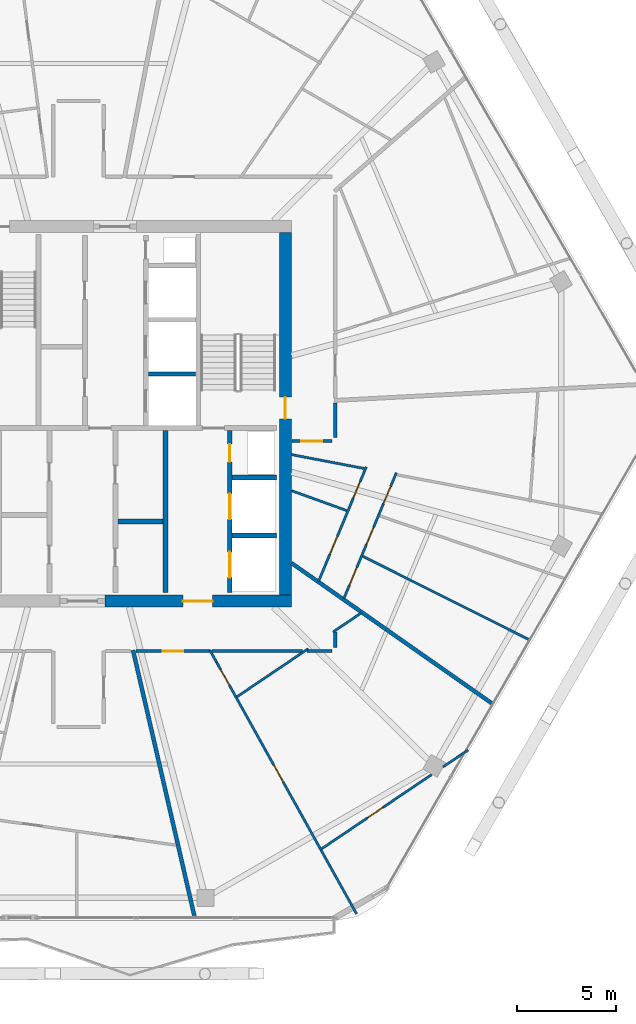
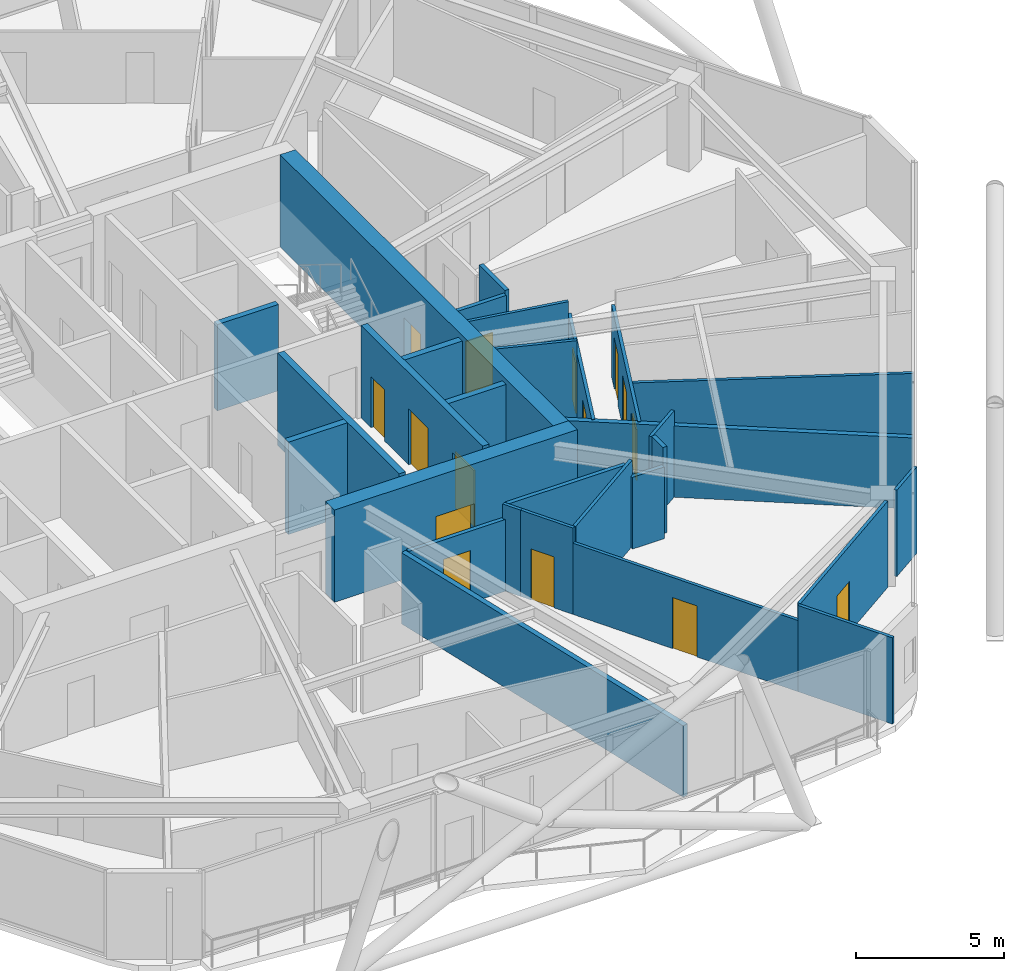
# One storey, part 22 of 27: 29 walls, 15 doors, 15 openings.
"""IFC4 building model written with IfcOpenShell, lengths in metres."""

from ifc_helpers import new_model, si_unit, direction, frame, frame_2d, origin, place, context, subcontext, project, spatial, rectangle, extrude, material, layer, layer_set, type_object, element, fill, save


model = new_model("IFC4")

# Units and contexts
model_context = context("Model", 3, precision=1e-05, world=origin(), true_north=direction((0.0, 1.0)))
body_context = subcontext(model_context, "Body", "Model", "MODEL_VIEW")
ifc_project = project(units=[si_unit("LENGTHUNIT", "METRE"), si_unit("AREAUNIT", "SQUARE_METRE"), si_unit("VOLUMEUNIT", "CUBIC_METRE"), si_unit("PLANEANGLEUNIT", "RADIAN"), si_unit("MASSUNIT", "GRAM", prefix="KILO")], contexts=[model_context])

# Site, building, storey
site_placement = place(None, origin())
site = spatial("IfcSite", under=ifc_project, at=site_placement, CompositionType="ELEMENT")
building_placement = place(site_placement, origin())
building = spatial("IfcBuilding", under=site, at=building_placement, Name="Zuhravey Tower", CompositionType="ELEMENT")
storey_placement = place(building_placement, frame((0.0, 0.0, 276.800048828125)))
storey = spatial("IfcBuildingStorey", under=building, at=storey_placement, Name="L70", CompositionType="ELEMENT", Elevation=276.800048828125)

# Wall, opening, door
ifc_material_1 = material(Name="Concrete C50/60", Category="concrete")
ifc_layer_1 = layer(ifc_material_1, 0.60009765625)
ifc_layer_set_1 = layer_set([ifc_layer_1], Name="Concrete C50/60")
wall_type_1 = type_object("IfcWallType", Name="Core Shear Wall 600", PredefinedType="SHEAR", material=ifc_layer_set_1)
wall_1_placement = place(storey_placement, frame((37.35009765625, 22.5, 0.0), z_axis=(0.0, 0.0, 1.0), x_axis=(1.0, 0.0, 0.0)))
wall_1 = element("IfcWall", 1, at=wall_1_placement, inside=storey, type_object=wall_type_1, Name="L70 South-East Core Shear Wall CW60", PredefinedType="SHEAR", context=body_context, shape_type="SweptSolid", body=[
    extrude(rectangle(XDim=9.449951171875, YDim=0.60009765625, at=frame_2d((4.72509765625, 0.0))), origin(), (0.0, 0.0, 1.0), 3.800048828125),
])
opening_1_placement = place(wall_1_placement, frame((3.949951171875, 0.0, 0.0)))
opening_1 = element("IfcOpeningElement", 2, at=opening_1_placement, cuts=wall_1, Name="Opening FFD1", PredefinedType="OPENING", context=body_context, shape_type="SweptSolid", body=[
    extrude(rectangle(XDim=1.5, YDim=2.14990234375, at=frame_2d((0.75, 1.074951171875))), frame((0.0, 0.31201171875, 0.0), z_axis=(0.0, -1.0, 0.0), x_axis=(1.0, 0.0, 0.0)), (0.0, 0.0, 1.0), 0.6240234375),
])
ifc_material_2 = material(Name="Galvanised fire-rated steel leaf", Category="steel")
door_type_1 = type_object("IfcDoorType", Name="Firefighting Lobby Double Door 1500x2150", OperationType="DOUBLE_DOOR_SINGLE_SWING", PredefinedType="DOOR", material=ifc_material_2)
door_1_placement = place(opening_1_placement, origin())
door_1 = element("IfcDoor", 3, at=door_1_placement, inside=storey, type_object=door_type_1, Name="L70 Firefighting Lobby East Door", OperationType="DOUBLE_DOOR_SINGLE_SWING", OverallHeight=2.14990234375, OverallWidth=1.5, PredefinedType="DOOR", context=body_context, shape_type="SweptSolid", body=[
    extrude(rectangle(XDim=1.5, YDim=2.14990234375, at=frame_2d((0.75, 1.074951171875))), frame((0.0, 0.02490234375, 0.0), z_axis=(0.0, -1.0, 0.0), x_axis=(1.0, 0.0, 0.0)), (0.0, 0.0, 1.0), 0.050048828125),
])
fill(opening_1, door_1)

wall_2_placement = place(storey_placement, frame((46.5, 22.800048828125, 0.0), z_axis=(0.0, 0.0, 1.0), x_axis=(0.0, 1.0, 0.0)))
wall_2 = element("IfcWall", 4, at=wall_2_placement, inside=storey, type_object=wall_type_1, Name="L70 East Core Shear Wall CW60", PredefinedType="SHEAR", context=body_context, shape_type="SweptSolid", body=[
    extrude(rectangle(XDim=18.39990234375, YDim=0.60009765625, at=frame_2d((9.199951171875, 0.0))), origin(), (0.0, 0.0, 1.0), 3.800048828125),
])
opening_2_placement = place(wall_2_placement, frame((8.949951171875, 0.0, 0.0)))
opening_2 = element("IfcOpeningElement", 5, at=opening_2_placement, cuts=wall_2, Name="Opening STD1", PredefinedType="OPENING", context=body_context, shape_type="SweptSolid", body=[
    extrude(rectangle(XDim=1.10009765625, YDim=2.14990234375, at=frame_2d((0.550048828125, 1.074951171875))), frame((0.0, 0.31201171875, 0.0), z_axis=(0.0, -1.0, 0.0), x_axis=(1.0, 0.0, 0.0)), (0.0, 0.0, 1.0), 0.6240234375),
])
door_type_2 = type_object("IfcDoorType", Name="Protected Stair Fire Door 1100x2150", OperationType="NOTDEFINED", PredefinedType="USERDEFINED", material=ifc_material_2)
door_2_placement = place(opening_2_placement, origin())
door_2 = element("IfcDoor", 6, at=door_2_placement, inside=storey, type_object=door_type_2, Name="L70 Stair ST2 Door", ObjectType="EXITDOOR", OperationType="SINGLE_SWING_LEFT", OverallHeight=2.14990234375, OverallWidth=1.10009765625, PredefinedType="USERDEFINED", context=body_context, shape_type="SweptSolid", body=[
    extrude(rectangle(XDim=1.10009765625, YDim=2.14990234375, at=frame_2d((0.550048828125, 1.074951171875))), frame((0.0, 0.02490234375, 0.0), z_axis=(0.0, -1.0, 0.0), x_axis=(1.0, 0.0, 0.0)), (0.0, 0.0, 1.0), 0.050048828125),
])
fill(opening_2, door_2)

ifc_material_3 = material(Name="Gypsum fire-rated stud partition")
ifc_layer_2 = layer(ifc_material_3, 0.159912109375)
ifc_layer_set_2 = layer_set([ifc_layer_2], Name="Gypsum fire-rated stud partition")
wall_type_2 = type_object("IfcWallType", Name="Corridor Fire Partition 160", PredefinedType="PARTITIONING", material=ifc_layer_set_2)
wall_3_placement = place(storey_placement, frame((38.90869140625, 19.969970703125, 0.0), z_axis=(0.0, 0.0, 1.0), x_axis=(1.0, 0.0, 0.0)))
wall_3 = element("IfcWall", 7, at=wall_3_placement, inside=storey, type_object=wall_type_2, Name="L70 IW16 Partition 042", PredefinedType="PARTITIONING", context=body_context, shape_type="SweptSolid", body=[
    extrude(rectangle(XDim=3.7587890625, YDim=0.159912109375, at=frame_2d((1.87939453125, 0.0))), origin(), (0.0, 0.0, 1.0), 2.949951171875),
])
opening_3_placement = place(wall_3_placement, frame((1.354248046875, 0.0, 0.0)))
opening_3 = element("IfcOpeningElement", 8, at=opening_3_placement, cuts=wall_3, Name="Opening APD1", PredefinedType="OPENING", context=body_context, shape_type="SweptSolid", body=[
    extrude(rectangle(XDim=1.050048828125, YDim=2.14990234375, at=frame_2d((0.52490234375, 1.074951171875))), frame((0.0, 0.092041015625, 0.0), z_axis=(0.0, -1.0, 0.0), x_axis=(1.0, 0.0, 0.0)), (0.0, 0.0, 1.0), 0.183837890625),
])
ifc_material_4 = material(Name="Solid-core oak fire-rated leaf")
door_type_3 = type_object("IfcDoorType", Name="Apartment Entrance Fire Door 1050x2150", OperationType="NOTDEFINED", PredefinedType="DOOR", material=ifc_material_4)
door_3_placement = place(opening_3_placement, frame((1.050048828125, 0.0, 0.0), z_axis=(0.0, 0.0, 1.0), x_axis=(-1.0, 0.0, 0.0)))
door_3 = element("IfcDoor", 9, at=door_3_placement, inside=storey, type_object=door_type_3, Name="L70 Door 042.1", OperationType="SINGLE_SWING_LEFT", OverallHeight=2.14990234375, OverallWidth=1.050048828125, PredefinedType="DOOR", context=body_context, shape_type="SweptSolid", body=[
    extrude(rectangle(XDim=1.050048828125, YDim=2.14990234375, at=frame_2d((0.52490234375, 1.074951171875))), frame((0.0, 0.02490234375, 0.0), z_axis=(0.0, -1.0, 0.0), x_axis=(1.0, 0.0, 0.0)), (0.0, 0.0, 1.0), 0.050048828125),
])
fill(opening_3, door_3)

wall_4_placement = place(storey_placement, frame((46.820068359375, 30.6201171875, 0.0), z_axis=(0.0, 0.0, 1.0), x_axis=(1.0, 0.0, 0.0)))
wall_4 = element("IfcWall", 10, at=wall_4_placement, inside=storey, type_object=wall_type_2, Name="L70 IW16 Partition 046", PredefinedType="PARTITIONING", context=body_context, shape_type="SweptSolid", body=[
    extrude(rectangle(XDim=2.029296875, YDim=0.159912109375, at=frame_2d((1.0146484375, 0.0))), origin(), (0.0, 0.0, 1.0), 3.550048828125),
])
opening_4_placement = place(wall_4_placement, frame((0.489501953125, 0.0, 0.0)))
opening_4 = element("IfcOpeningElement", 11, at=opening_4_placement, cuts=wall_4, Name="Opening APD1", PredefinedType="OPENING", context=body_context, shape_type="SweptSolid", body=[
    extrude(rectangle(XDim=1.050048828125, YDim=2.14990234375, at=frame_2d((0.52490234375, 1.074951171875))), frame((0.0, 0.092041015625, 0.0), z_axis=(0.0, -1.0, 0.0), x_axis=(1.0, 0.0, 0.0)), (0.0, 0.0, 1.0), 0.183837890625),
])
door_4_placement = place(opening_4_placement, frame((1.050048828125, 0.0, 0.0), z_axis=(0.0, 0.0, 1.0), x_axis=(-1.0, 0.0, 0.0)))
door_4 = element("IfcDoor", 12, at=door_4_placement, inside=storey, type_object=door_type_3, Name="L70 Door 046.1", OperationType="SINGLE_SWING_RIGHT", OverallHeight=2.14990234375, OverallWidth=1.050048828125, PredefinedType="DOOR", context=body_context, shape_type="SweptSolid", body=[
    extrude(rectangle(XDim=1.050048828125, YDim=2.14990234375, at=frame_2d((0.52490234375, 1.074951171875))), frame((0.0, 0.02490234375, 0.0), z_axis=(0.0, -1.0, 0.0), x_axis=(1.0, 0.0, 0.0)), (0.0, 0.0, 1.0), 0.050048828125),
])
fill(opening_4, door_4)

# Walls
wall_5_placement = place(storey_placement, frame((42.768310546875, 19.969970703125, 0.0), z_axis=(0.0, 0.0, 1.0), x_axis=(1.0, 0.0, 0.0)))
element("IfcWall", 13, at=wall_5_placement, inside=storey, type_object=wall_type_2, Name="L70 IW16 Partition 126", PredefinedType="PARTITIONING", context=body_context, shape_type="SweptSolid", body=[
    extrude(rectangle(XDim=4.591552734375, YDim=0.159912109375, at=frame_2d((2.2958984375, 0.0))), origin(), (0.0, 0.0, 1.0), 3.550048828125),
])
wall_6_placement = place(storey_placement, frame((47.60302734375, 19.969970703125, 0.0), z_axis=(0.0, 0.0, 1.0), x_axis=(1.0, 0.0, 0.0)))
element("IfcWall", 14, at=wall_6_placement, inside=storey, type_object=wall_type_2, Name="L70 IW16 Partition 127", PredefinedType="PARTITIONING", context=body_context, shape_type="SweptSolid", body=[
    extrude(rectangle(XDim=1.2470703125, YDim=0.159912109375, at=frame_2d((0.62353515625, 0.0))), origin(), (0.0, 0.0, 1.0), 2.949951171875),
])
wall_7_placement = place(storey_placement, frame((49.030029296875, 20.14990234375, 0.0), z_axis=(0.0, 0.0, 1.0), x_axis=(0.0, 1.0, 0.0)))
element("IfcWall", 15, at=wall_7_placement, inside=storey, type_object=wall_type_2, Name="L70 IW16 Partition 128", PredefinedType="PARTITIONING", context=body_context, shape_type="SweptSolid", body=[
    extrude(rectangle(XDim=0.78271484375, YDim=0.159912109375, at=frame_2d((0.391357421875, 0.0))), origin(), (0.0, 0.0, 1.0), 3.550048828125),
])
wall_8_placement = place(storey_placement, frame((49.030029296875, 30.80078125, 0.0), z_axis=(0.0, 0.0, 1.0), x_axis=(0.0, 1.0, 0.0)))
element("IfcWall", 16, at=wall_8_placement, inside=storey, type_object=wall_type_2, Name="L70 IW16 Partition 129", PredefinedType="PARTITIONING", context=body_context, shape_type="SweptSolid", body=[
    extrude(rectangle(XDim=1.748046875, YDim=0.159912109375, at=frame_2d((0.8740234375, 0.0))), origin(), (0.0, 0.0, 1.0), 3.550048828125),
])
ifc_layer_3 = layer(ifc_material_1, 0.25)
ifc_layer_set_3 = layer_set([ifc_layer_3], Name="Concrete C50/60")
wall_type_3 = type_object("IfcWallType", Name="Firefighting Shaft & Stair Wall 250", PredefinedType="SOLIDWALL", material=ifc_layer_set_3)
wall_9_placement = place(storey_placement, frame((38.0, 26.550048828125, 0.0), z_axis=(0.0, 0.0, 1.0), x_axis=(1.0, 0.0, 0.0)))
element("IfcWall", 17, at=wall_9_placement, inside=storey, type_object=wall_type_3, Name="L70 FW25 Shaft Wall 015", PredefinedType="SOLIDWALL", context=body_context, shape_type="SweptSolid", body=[
    extrude(rectangle(XDim=2.300048828125, YDim=0.25, at=frame_2d((1.14990234375, 0.0))), origin(), (0.0, 0.0, 1.0), 3.800048828125),
])
wall_10_placement = place(storey_placement, frame((40.425048828125, 22.949951171875, 0.0), z_axis=(0.0, 0.0, 1.0), x_axis=(0.0, 1.0, 0.0)))
element("IfcWall", 18, at=wall_10_placement, inside=storey, type_object=wall_type_3, Name="L70 FW25 Shaft Wall 017", PredefinedType="SOLIDWALL", context=body_context, shape_type="SweptSolid", body=[
    extrude(rectangle(XDim=8.199951171875, YDim=0.25, at=frame_2d((4.10009765625, 0.0))), origin(), (0.0, 0.0, 1.0), 3.800048828125),
])
for number, where, z_axis, x_axis, name in (
    (19, (43.800048828125, 25.824951171875, 0.0), (0.0, 0.0, 1.0), (1.0, 0.0, 0.0), "L70 FW25 Shaft Wall 018"),
    (20, (43.800048828125, 28.77490234375, 0.0), (0.0, 0.0, 1.0), (1.0, 0.0, 0.0), "L70 FW25 Shaft Wall 019"),
):
    element("IfcWall", number, at=place(storey_placement, frame(where, z_axis=z_axis, x_axis=x_axis)), inside=storey, type_object=wall_type_3, Name=name, PredefinedType="SOLIDWALL", context=body_context, shape_type="SweptSolid", body=[
        extrude(rectangle(XDim=2.25, YDim=0.25, at=frame_2d((1.125, 0.0))), origin(), (0.0, 0.0, 1.0), 3.800048828125),
    ])

# Wall, openings, doors
wall_11_placement = place(storey_placement, frame((43.675048828125, 22.949951171875, 0.0), z_axis=(0.0, 0.0, 1.0), x_axis=(0.0, 1.0, 0.0)))
wall_11 = element("IfcWall", 21, at=wall_11_placement, inside=storey, type_object=wall_type_3, Name="L70 FW25 Shaft Wall 020", PredefinedType="SOLIDWALL", context=body_context, shape_type="SweptSolid", body=[
    extrude(rectangle(XDim=8.199951171875, YDim=0.25, at=frame_2d((4.10009765625, 0.0))), origin(), (0.0, 0.0, 1.0), 3.800048828125),
])
opening_5_placement = place(wall_11_placement, frame((0.75, 0.0, 0.0)))
opening_5 = element("IfcOpeningElement", 22, at=opening_5_placement, cuts=wall_11, Name="Opening LD2", PredefinedType="OPENING", context=body_context, shape_type="SweptSolid", body=[
    extrude(rectangle(XDim=1.300048828125, YDim=2.300048828125, at=frame_2d((0.64990234375, 1.14990234375))), frame((0.0, 0.136962890625, 0.0), z_axis=(0.0, -1.0, 0.0), x_axis=(1.0, 0.0, 0.0)), (0.0, 0.0, 1.0), 0.27392578125),
])
opening_6_placement = place(wall_11_placement, frame((3.699951171875, 0.0, 0.0)))
opening_6 = element("IfcOpeningElement", 23, at=opening_6_placement, cuts=wall_11, Name="Opening LD2", PredefinedType="OPENING", context=body_context, shape_type="SweptSolid", body=[
    extrude(rectangle(XDim=1.300048828125, YDim=2.300048828125, at=frame_2d((0.64990234375, 1.14990234375))), frame((0.0, 0.136962890625, 0.0), z_axis=(0.0, -1.0, 0.0), x_axis=(1.0, 0.0, 0.0)), (0.0, 0.0, 1.0), 0.27392578125),
])
opening_7_placement = place(wall_11_placement, frame((6.6201171875, 0.0, 0.0)))
opening_7 = element("IfcOpeningElement", 24, at=opening_7_placement, cuts=wall_11, Name="Opening RSD1", PredefinedType="OPENING", context=body_context, shape_type="SweptSolid", body=[
    extrude(rectangle(XDim=0.89990234375, YDim=2.10009765625, at=frame_2d((0.449951171875, 1.050048828125))), frame((0.0, 0.136962890625, 0.0), z_axis=(0.0, -1.0, 0.0), x_axis=(1.0, 0.0, 0.0)), (0.0, 0.0, 1.0), 0.27392578125),
])
ifc_material_5 = material(Name="Brushed stainless steel", Category="steel")
door_type_4 = type_object("IfcDoorType", Name="Freight & Stretcher Lift Sliding Door 1300x2300", OperationType="DOUBLE_DOOR_SLIDING", PredefinedType="DOOR", material=ifc_material_5)
door_5_placement = place(opening_5_placement, origin())
door_5 = element("IfcDoor", 25, at=door_5_placement, inside=storey, type_object=door_type_4, Name="L70 Lift FF2 Landing Door", OperationType="DOUBLE_DOOR_SLIDING", OverallHeight=2.300048828125, OverallWidth=1.300048828125, PredefinedType="DOOR", context=body_context, shape_type="SweptSolid", body=[
    extrude(rectangle(XDim=1.300048828125, YDim=2.300048828125, at=frame_2d((0.64990234375, 1.14990234375))), frame((0.0, 0.02490234375, 0.0), z_axis=(0.0, -1.0, 0.0), x_axis=(1.0, 0.0, 0.0)), (0.0, 0.0, 1.0), 0.050048828125),
])
fill(opening_5, door_5)
door_6_placement = place(opening_6_placement, origin())
door_6 = element("IfcDoor", 26, at=door_6_placement, inside=storey, type_object=door_type_4, Name="L70 Lift SV1 Landing Door", OperationType="DOUBLE_DOOR_SLIDING", OverallHeight=2.300048828125, OverallWidth=1.300048828125, PredefinedType="DOOR", context=body_context, shape_type="SweptSolid", body=[
    extrude(rectangle(XDim=1.300048828125, YDim=2.300048828125, at=frame_2d((0.64990234375, 1.14990234375))), frame((0.0, 0.02490234375, 0.0), z_axis=(0.0, -1.0, 0.0), x_axis=(1.0, 0.0, 0.0)), (0.0, 0.0, 1.0), 0.050048828125),
])
fill(opening_6, door_6)
ifc_material_6 = material(Name="Galvanised fire-rated steel access leaf", Category="steel")
door_type_5 = type_object("IfcDoorType", Name="Riser & Shaft Access Fire Door 900x2100", OperationType="NOTDEFINED", PredefinedType="DOOR", material=ifc_material_6)
door_7_placement = place(opening_7_placement, origin())
door_7 = element("IfcDoor", 27, at=door_7_placement, inside=storey, type_object=door_type_5, Name="L70 Plumbing Riser Door", OperationType="SINGLE_SWING_LEFT", OverallHeight=2.10009765625, OverallWidth=0.89990234375, PredefinedType="DOOR", context=body_context, shape_type="SweptSolid", body=[
    extrude(rectangle(XDim=0.89990234375, YDim=2.10009765625, at=frame_2d((0.449951171875, 1.050048828125))), frame((0.0, 0.02490234375, 0.0), z_axis=(0.0, -1.0, 0.0), x_axis=(1.0, 0.0, 0.0)), (0.0, 0.0, 1.0), 0.050048828125),
])
fill(opening_7, door_7)

# Walls
ifc_material_7 = material(Name="Gypsum double-stud party assembly")
ifc_layer_4 = layer(ifc_material_7, 0.199951171875)
ifc_layer_set_4 = layer_set([ifc_layer_4], Name="Gypsum double-stud party assembly")
wall_type_4 = type_object("IfcWallType", Name="Inter-Tenancy Party Wall 200", PredefinedType="PARTITIONING", material=ifc_layer_set_4)
wall_12_placement = place(storey_placement, frame((38.76806640625, 20.010009765625, 0.0), z_axis=(0.0, 0.0, 1.0), x_axis=(0.224954220799, -0.974369333746, 0.0)))
element("IfcWall", 28, at=wall_12_placement, inside=storey, type_object=wall_type_4, Name="L70 IW20 Partition 085", PredefinedType="PARTITIONING", context=body_context, shape_type="SweptSolid", body=[
    extrude(rectangle(XDim=13.9306640625, YDim=0.199951171875, at=frame_2d((6.96533203125, 0.0))), origin(), (0.0, 0.0, 1.0), 2.929931640625),
])
wall_13_placement = place(storey_placement, frame((46.80810546875, 24.43212890625, 0.0), z_axis=(0.0, 0.0, 1.0), x_axis=(0.819149112162, -0.57358062384, 0.0)))
element("IfcWall", 29, at=wall_13_placement, inside=storey, type_object=wall_type_4, Name="L70 IW20 Partition 091", PredefinedType="PARTITIONING", context=body_context, shape_type="SweptSolid", body=[
    extrude(rectangle(XDim=12.467041015625, YDim=0.199951171875, at=frame_2d((6.2333984375, 0.0))), origin(), (0.0, 0.0, 1.0), 2.929931640625),
])
ifc_material_8 = material(Name="Gypsum acoustic stud assembly")
ifc_layer_5 = layer(ifc_material_8, 0.219970703125)
ifc_layer_set_5 = layer_set([ifc_layer_5], Name="Gypsum acoustic stud assembly")
wall_type_5 = type_object("IfcWallType", Name="School Acoustic Compartment Wall 220", PredefinedType="PARTITIONING", material=ifc_layer_set_5)
wall_14_placement = place(storey_placement, frame((39.55810546875, 34.02490234375, 0.0), z_axis=(0.0, 0.0, 1.0), x_axis=(1.0, 0.0, 0.0)))
element("IfcWall", 30, at=wall_14_placement, inside=storey, type_object=wall_type_5, Name="L70 IW22 Partition 067", PredefinedType="PARTITIONING", context=body_context, shape_type="SweptSolid", body=[
    extrude(rectangle(XDim=2.3837890625, YDim=0.219970703125, at=frame_2d((1.19189453125, 0.0))), origin(), (0.0, 0.0, 1.0), 3.550048828125),
])

# Wall, opening, door
ifc_material_9 = material(Name="Gypsum metal-stud partition")
ifc_layer_6 = layer(ifc_material_9, 0.1201171875)
ifc_layer_set_6 = layer_set([ifc_layer_6], Name="Gypsum metal-stud partition")
wall_type_6 = type_object("IfcWallType", Name="Unit Internal Partition 120", PredefinedType="PARTITIONING", material=ifc_layer_set_6)
wall_15_placement = place(storey_placement, frame((43.00732421875, 19.39990234375, 0.0), z_axis=(0.0, 0.0, 1.0), x_axis=(0.48609530241, -0.873905805551, 0.0)))
wall_15 = element("IfcWall", 31, at=wall_15_placement, inside=storey, type_object=wall_type_6, Name="L70 IW12 Partition 039", PredefinedType="PARTITIONING", context=body_context, shape_type="SweptSolid", body=[
    extrude(rectangle(XDim=2.061767578125, YDim=0.1201171875, at=frame_2d((1.03076171875, 0.0))), origin(), (0.0, 0.0, 1.0), 3.550048828125),
])
opening_8_placement = place(wall_15_placement, frame((0.416015625, 0.0, 0.0)))
opening_8 = element("IfcOpeningElement", 32, at=opening_8_placement, cuts=wall_15, Name="Opening WCD1", PredefinedType="OPENING", context=body_context, shape_type="SweptSolid", body=[
    extrude(rectangle(XDim=0.89990234375, YDim=2.10009765625, at=frame_2d((0.449951171875, 1.050048828125))), frame((0.0, 0.072021484375, 0.0), z_axis=(0.0, -1.0, 0.0), x_axis=(1.0, 0.0, 0.0)), (0.0, 0.0, 1.0), 0.14404296875),
])
ifc_material_10 = material(Name="Moisture-resistant timber leaf", Category="wood")
door_type_6 = type_object("IfcDoorType", Name="Bathroom & WC Internal Door 900x2100", OperationType="NOTDEFINED", PredefinedType="DOOR", material=ifc_material_10)
door_8_placement = place(opening_8_placement, origin())
door_8 = element("IfcDoor", 33, at=door_8_placement, inside=storey, type_object=door_type_6, Name="Apartment L70-04 Bathroom Door", OperationType="SINGLE_SWING_RIGHT", OverallHeight=2.10009765625, OverallWidth=0.89990234375, PredefinedType="DOOR", context=body_context, shape_type="SweptSolid", body=[
    extrude(rectangle(XDim=0.89990234375, YDim=2.10009765625, at=frame_2d((0.449951171875, 1.050048828125))), frame((0.0, 0.02490234375, 0.0), z_axis=(0.0, -1.0, 0.0), x_axis=(1.0, 0.0, 0.0)), (0.0, 0.0, 1.0), 0.050048828125),
])
fill(opening_8, door_8)

wall_16_placement = place(storey_placement, frame((44.009521484375, 17.59814453125, 0.0), z_axis=(0.0, 0.0, 1.0), x_axis=(0.486020933701, -0.873947167742, 0.0)))
wall_16 = element("IfcWall", 34, at=wall_16_placement, inside=storey, type_object=wall_type_6, Name="L70 IW12 Partition 040", PredefinedType="PARTITIONING", context=body_context, shape_type="SweptSolid", body=[
    extrude(rectangle(XDim=8.827880859375, YDim=0.1201171875, at=frame_2d((4.4140625, 0.0))), origin(), (0.0, 0.0, 1.0), 2.929931640625),
])
opening_9_placement = place(wall_16_placement, frame((3.913818359375, 0.0, 0.0)))
opening_9 = element("IfcOpeningElement", 35, at=opening_9_placement, cuts=wall_16, Name="Opening IND1", PredefinedType="OPENING", context=body_context, shape_type="SweptSolid", body=[
    extrude(rectangle(XDim=0.949951171875, YDim=2.10009765625, at=frame_2d((0.47509765625, 1.050048828125))), frame((0.0, 0.072021484375, 0.0), z_axis=(0.0, -1.0, 0.0), x_axis=(1.0, 0.0, 0.0)), (0.0, 0.0, 1.0), 0.14404296875),
])
ifc_material_11 = material(Name="Painted engineered timber leaf", Category="wood")
door_type_7 = type_object("IfcDoorType", Name="Internal Room & Bedroom Door 950x2100", OperationType="NOTDEFINED", PredefinedType="DOOR", material=ifc_material_11)
door_9_placement = place(opening_9_placement, origin())
door_9 = element("IfcDoor", 36, at=door_9_placement, inside=storey, type_object=door_type_7, Name="Apartment L70-04 Home Office Door", OperationType="SINGLE_SWING_LEFT", OverallHeight=2.10009765625, OverallWidth=0.949951171875, PredefinedType="DOOR", context=body_context, shape_type="SweptSolid", body=[
    extrude(rectangle(XDim=0.949951171875, YDim=2.10009765625, at=frame_2d((0.47509765625, 1.050048828125))), frame((0.0, 0.02490234375, 0.0), z_axis=(0.0, -1.0, 0.0), x_axis=(1.0, 0.0, 0.0)), (0.0, 0.0, 1.0), 0.050048828125),
])
fill(opening_9, door_9)

wall_17_placement = place(storey_placement, frame((48.344482421875, 9.943115234375, 0.0), z_axis=(0.0, 0.0, 1.0), x_axis=(0.829047449098, 0.559178260614, 0.0)))
wall_17 = element("IfcWall", 37, at=wall_17_placement, inside=storey, type_object=wall_type_6, Name="L70 IW12 Partition 041", PredefinedType="PARTITIONING", context=body_context, shape_type="SweptSolid", body=[
    extrude(rectangle(XDim=6.718994140625, YDim=0.1201171875, at=frame_2d((3.359375, 0.0))), origin(), (0.0, 0.0, 1.0), 3.550048828125),
])
opening_10_placement = place(wall_17_placement, frame((2.800048828125, 0.0, 0.0)))
opening_10 = element("IfcOpeningElement", 38, at=opening_10_placement, cuts=wall_17, Name="Opening IND1", PredefinedType="OPENING", context=body_context, shape_type="SweptSolid", body=[
    extrude(rectangle(XDim=0.949951171875, YDim=2.10009765625, at=frame_2d((0.47509765625, 1.050048828125))), frame((0.0, 0.072021484375, 0.0), z_axis=(0.0, -1.0, 0.0), x_axis=(1.0, 0.0, 0.0)), (0.0, 0.0, 1.0), 0.14404296875),
])
door_10_placement = place(opening_10_placement, frame((0.949951171875, 0.0, 0.0), z_axis=(0.0, 0.0, 1.0), x_axis=(-1.0, 0.0, 0.0)))
door_10 = element("IfcDoor", 39, at=door_10_placement, inside=storey, type_object=door_type_7, Name="Apartment L70-04 Bedroom 1 Door", OperationType="SINGLE_SWING_RIGHT", OverallHeight=2.10009765625, OverallWidth=0.949951171875, PredefinedType="DOOR", context=body_context, shape_type="SweptSolid", body=[
    extrude(rectangle(XDim=0.949951171875, YDim=2.10009765625, at=frame_2d((0.47509765625, 1.050048828125))), frame((0.0, 0.02490234375, 0.0), z_axis=(0.0, -1.0, 0.0), x_axis=(1.0, 0.0, 0.0)), (0.0, 0.0, 1.0), 0.050048828125),
])
fill(opening_10, door_10)

# Wall, openings, doors
wall_18_placement = place(storey_placement, frame((48.179931640625, 23.507568359375, 0.0), z_axis=(0.0, 0.0, 1.0), x_axis=(0.385271359417, 0.922803326616, 0.0)))
wall_18 = element("IfcWall", 40, at=wall_18_placement, inside=storey, type_object=wall_type_6, Name="L70 IW12 Partition 044", PredefinedType="PARTITIONING", context=body_context, shape_type="SweptSolid", body=[
    extrude(rectangle(XDim=6.28857421875, YDim=0.1201171875, at=frame_2d((3.144287109375, 0.0))), origin(), (0.0, 0.0, 1.0), 2.949951171875),
])
opening_11_placement = place(wall_18_placement, frame((1.50830078125, 0.0, 0.0)))
opening_11 = element("IfcOpeningElement", 41, at=opening_11_placement, cuts=wall_18, Name="Opening IND1", PredefinedType="OPENING", context=body_context, shape_type="SweptSolid", body=[
    extrude(rectangle(XDim=0.949951171875, YDim=2.10009765625, at=frame_2d((0.47509765625, 1.050048828125))), frame((0.0, 0.072021484375, 0.0), z_axis=(0.0, -1.0, 0.0), x_axis=(1.0, 0.0, 0.0)), (0.0, 0.0, 1.0), 0.14404296875),
])
opening_12_placement = place(wall_18_placement, frame((4.575439453125, 0.0, 0.0)))
opening_12 = element("IfcOpeningElement", 42, at=opening_12_placement, cuts=wall_18, Name="Opening WCD1", PredefinedType="OPENING", context=body_context, shape_type="SweptSolid", body=[
    extrude(rectangle(XDim=0.89990234375, YDim=2.10009765625, at=frame_2d((0.449951171875, 1.050048828125))), frame((0.0, 0.072021484375, 0.0), z_axis=(0.0, -1.0, 0.0), x_axis=(1.0, 0.0, 0.0)), (0.0, 0.0, 1.0), 0.14404296875),
])
door_11_placement = place(opening_12_placement, origin())
door_11 = element("IfcDoor", 43, at=door_11_placement, inside=storey, type_object=door_type_6, Name="Apartment L70-05 Bathroom Door", OperationType="SINGLE_SWING_RIGHT", OverallHeight=2.10009765625, OverallWidth=0.89990234375, PredefinedType="DOOR", context=body_context, shape_type="SweptSolid", body=[
    extrude(rectangle(XDim=0.89990234375, YDim=2.10009765625, at=frame_2d((0.449951171875, 1.050048828125))), frame((0.0, 0.02490234375, 0.0), z_axis=(0.0, -1.0, 0.0), x_axis=(1.0, 0.0, 0.0)), (0.0, 0.0, 1.0), 0.050048828125),
])
fill(opening_12, door_11)
door_12_placement = place(opening_11_placement, origin())
door_12 = element("IfcDoor", 44, at=door_12_placement, inside=storey, type_object=door_type_7, Name="Apartment L70-05 Kitchen Door", OperationType="SINGLE_SWING_LEFT", OverallHeight=2.10009765625, OverallWidth=0.949951171875, PredefinedType="DOOR", context=body_context, shape_type="SweptSolid", body=[
    extrude(rectangle(XDim=0.949951171875, YDim=2.10009765625, at=frame_2d((0.47509765625, 1.050048828125))), frame((0.0, 0.02490234375, 0.0), z_axis=(0.0, -1.0, 0.0), x_axis=(1.0, 0.0, 0.0)), (0.0, 0.0, 1.0), 0.050048828125),
])
fill(opening_11, door_12)

wall_19_placement = place(storey_placement, frame((49.4599609375, 22.6279296875, 0.0), z_axis=(0.0, 0.0, 1.0), x_axis=(0.385248544759, 0.922812851428, 0.0)))
wall_19 = element("IfcWall", 45, at=wall_19_placement, inside=storey, type_object=wall_type_6, Name="L70 IW12 Partition 045", PredefinedType="PARTITIONING", context=body_context, shape_type="SweptSolid", body=[
    extrude(rectangle(XDim=6.926025390625, YDim=0.1201171875, at=frame_2d((3.462890625, 0.0))), origin(), (0.0, 0.0, 1.0), 2.949951171875),
])
opening_13_placement = place(wall_19_placement, frame((0.75341796875, 0.0, 0.0)))
opening_13 = element("IfcOpeningElement", 46, at=opening_13_placement, cuts=wall_19, Name="Opening IND1", PredefinedType="OPENING", context=body_context, shape_type="SweptSolid", body=[
    extrude(rectangle(XDim=0.949951171875, YDim=2.10009765625, at=frame_2d((0.47509765625, 1.050048828125))), frame((0.0, 0.072021484375, 0.0), z_axis=(0.0, -1.0, 0.0), x_axis=(1.0, 0.0, 0.0)), (0.0, 0.0, 1.0), 0.14404296875),
])
opening_14_placement = place(wall_19_placement, frame((2.988037109375, 0.0, 0.0)))
opening_14 = element("IfcOpeningElement", 47, at=opening_14_placement, cuts=wall_19, Name="Opening IND1", PredefinedType="OPENING", context=body_context, shape_type="SweptSolid", body=[
    extrude(rectangle(XDim=0.949951171875, YDim=2.10009765625, at=frame_2d((0.47509765625, 1.050048828125))), frame((0.0, 0.072021484375, 0.0), z_axis=(0.0, -1.0, 0.0), x_axis=(1.0, 0.0, 0.0)), (0.0, 0.0, 1.0), 0.14404296875),
])
opening_15_placement = place(wall_19_placement, frame((5.222412109375, 0.0, 0.0)))
opening_15 = element("IfcOpeningElement", 48, at=opening_15_placement, cuts=wall_19, Name="Opening IND1", PredefinedType="OPENING", context=body_context, shape_type="SweptSolid", body=[
    extrude(rectangle(XDim=0.949951171875, YDim=2.10009765625, at=frame_2d((0.47509765625, 1.050048828125))), frame((0.0, 0.072021484375, 0.0), z_axis=(0.0, -1.0, 0.0), x_axis=(1.0, 0.0, 0.0)), (0.0, 0.0, 1.0), 0.14404296875),
])
door_13_placement = place(opening_13_placement, frame((0.949951171875, 0.0, 0.0), z_axis=(0.0, 0.0, 1.0), x_axis=(-1.0, 0.0, 0.0)))
door_13 = element("IfcDoor", 49, at=door_13_placement, inside=storey, type_object=door_type_7, Name="Apartment L70-05 Bedroom 1 Door", OperationType="SINGLE_SWING_LEFT", OverallHeight=2.10009765625, OverallWidth=0.949951171875, PredefinedType="DOOR", context=body_context, shape_type="SweptSolid", body=[
    extrude(rectangle(XDim=0.949951171875, YDim=2.10009765625, at=frame_2d((0.47509765625, 1.050048828125))), frame((0.0, 0.02490234375, 0.0), z_axis=(0.0, -1.0, 0.0), x_axis=(1.0, 0.0, 0.0)), (0.0, 0.0, 1.0), 0.050048828125),
])
fill(opening_13, door_13)
door_14_placement = place(opening_14_placement, frame((0.949951171875, 0.0, 0.0), z_axis=(0.0, 0.0, 1.0), x_axis=(-1.0, 0.0, 0.0)))
door_14 = element("IfcDoor", 50, at=door_14_placement, inside=storey, type_object=door_type_7, Name="Apartment L70-05 Bedroom 2 Door", OperationType="SINGLE_SWING_RIGHT", OverallHeight=2.10009765625, OverallWidth=0.949951171875, PredefinedType="DOOR", context=body_context, shape_type="SweptSolid", body=[
    extrude(rectangle(XDim=0.949951171875, YDim=2.10009765625, at=frame_2d((0.47509765625, 1.050048828125))), frame((0.0, 0.02490234375, 0.0), z_axis=(0.0, -1.0, 0.0), x_axis=(1.0, 0.0, 0.0)), (0.0, 0.0, 1.0), 0.050048828125),
])
fill(opening_14, door_14)
door_15_placement = place(opening_15_placement, frame((0.949951171875, 0.0, 0.0), z_axis=(0.0, 0.0, 1.0), x_axis=(-1.0, 0.0, 0.0)))
door_15 = element("IfcDoor", 51, at=door_15_placement, inside=storey, type_object=door_type_7, Name="Apartment L70-05 Bedroom 3 Door", OperationType="SINGLE_SWING_LEFT", OverallHeight=2.10009765625, OverallWidth=0.949951171875, PredefinedType="DOOR", context=body_context, shape_type="SweptSolid", body=[
    extrude(rectangle(XDim=0.949951171875, YDim=2.10009765625, at=frame_2d((0.47509765625, 1.050048828125))), frame((0.0, 0.02490234375, 0.0), z_axis=(0.0, -1.0, 0.0), x_axis=(1.0, 0.0, 0.0)), (0.0, 0.0, 1.0), 0.050048828125),
])
fill(opening_15, door_15)

# Walls
wall_20_placement = place(storey_placement, frame((42.66748046875, 20.01123046875, 0.0), z_axis=(0.0, 0.0, 1.0), x_axis=(0.485880005056, -0.874025526336, 0.0)))
element("IfcWall", 52, at=wall_20_placement, inside=storey, type_object=wall_type_6, Name="L70 IW12 Partition 086", PredefinedType="PARTITIONING", context=body_context, shape_type="SweptSolid", body=[
    extrude(rectangle(XDim=0.699462890625, YDim=0.1201171875, at=frame_2d((0.349609375, 0.0))), origin(), (0.0, 0.0, 1.0), 3.550048828125),
])
wall_21_placement = place(storey_placement, frame((48.300048828125, 9.883056640625, 0.0), z_axis=(0.0, 0.0, 1.0), x_axis=(0.486055789074, -0.873927783005, 0.0)))
element("IfcWall", 53, at=wall_21_placement, inside=storey, type_object=wall_type_6, Name="L70 IW12 Partition 087", PredefinedType="PARTITIONING", context=body_context, shape_type="SweptSolid", body=[
    extrude(rectangle(XDim=3.71484375, YDim=0.1201171875, at=frame_2d((1.857421875, 0.0))), origin(), (0.0, 0.0, 1.0), 3.550048828125),
])
wall_22_placement = place(storey_placement, frame((44.053955078125, 17.658203125, 0.0), z_axis=(0.0, 0.0, 1.0), x_axis=(0.829023707323, 0.559213458973, 0.0)))
element("IfcWall", 54, at=wall_22_placement, inside=storey, type_object=wall_type_6, Name="L70 IW12 Partition 088", PredefinedType="PARTITIONING", context=body_context, shape_type="SweptSolid", body=[
    extrude(rectangle(XDim=4.348876953125, YDim=0.1201171875, at=frame_2d((2.17431640625, 0.0))), origin(), (0.0, 0.0, 1.0), 3.550048828125),
])
wall_23_placement = place(storey_placement, frame((48.909912109375, 20.93359375, 0.0), z_axis=(0.0, 0.0, 1.0), x_axis=(0.829049195255, 0.559175671723, 0.0)))
element("IfcWall", 55, at=wall_23_placement, inside=storey, type_object=wall_type_6, Name="L70 IW12 Partition 089", PredefinedType="PARTITIONING", context=body_context, shape_type="SweptSolid", body=[
    extrude(rectangle(XDim=1.721435546875, YDim=0.1201171875, at=frame_2d((0.86083984375, 0.0))), origin(), (0.0, 0.0, 1.0), 3.550048828125),
])
wall_24_placement = place(storey_placement, frame((54.488525390625, 14.08740234375, 0.0), z_axis=(0.0, 0.0, 1.0), x_axis=(0.829114812238, 0.559078373868, 0.0)))
element("IfcWall", 56, at=wall_24_placement, inside=storey, type_object=wall_type_6, Name="L70 IW12 Partition 090", PredefinedType="PARTITIONING", context=body_context, shape_type="SweptSolid", body=[
    extrude(rectangle(XDim=1.54150390625, YDim=0.1201171875, at=frame_2d((0.770751953125, 0.0))), origin(), (0.0, 0.0, 1.0), 3.550048828125),
])
wall_25_placement = place(storey_placement, frame((46.80810546875, 28.10498046875, 0.0), z_axis=(0.0, 0.0, 1.0), x_axis=(0.940760677373, -0.339071302101, 0.0)))
element("IfcWall", 57, at=wall_25_placement, inside=storey, type_object=wall_type_6, Name="L70 IW12 Partition 092", PredefinedType="PARTITIONING", context=body_context, shape_type="SweptSolid", body=[
    extrude(rectangle(XDim=2.972900390625, YDim=0.1201171875, at=frame_2d((1.486328125, 0.0))), origin(), (0.0, 0.0, 1.0), 3.550048828125),
])
wall_26_placement = place(storey_placement, frame((50.428955078125, 24.7724609375, 0.0), z_axis=(0.0, 0.0, 1.0), x_axis=(0.894097326917, -0.447872716294, 0.0)))
element("IfcWall", 58, at=wall_26_placement, inside=storey, type_object=wall_type_6, Name="L70 IW12 Partition 093", PredefinedType="PARTITIONING", context=body_context, shape_type="SweptSolid", body=[
    extrude(rectangle(XDim=9.48046875, YDim=0.1201171875, at=frame_2d((4.740234375, 0.0))), origin(), (0.0, 0.0, 1.0), 2.929931640625),
])
wall_27_placement = place(storey_placement, frame((46.80810546875, 29.934326171875, 0.0), z_axis=(0.0, 0.0, 1.0), x_axis=(0.982225672126, -0.187703833251, 0.0)))
element("IfcWall", 59, at=wall_27_placement, inside=storey, type_object=wall_type_6, Name="L70 IW12 Partition 095", PredefinedType="PARTITIONING", context=body_context, shape_type="SweptSolid", body=[
    extrude(rectangle(XDim=3.753662109375, YDim=0.1201171875, at=frame_2d((1.876953125, 0.0))), origin(), (0.0, 0.0, 1.0), 3.550048828125),
])

save(model, "model.ifc")
